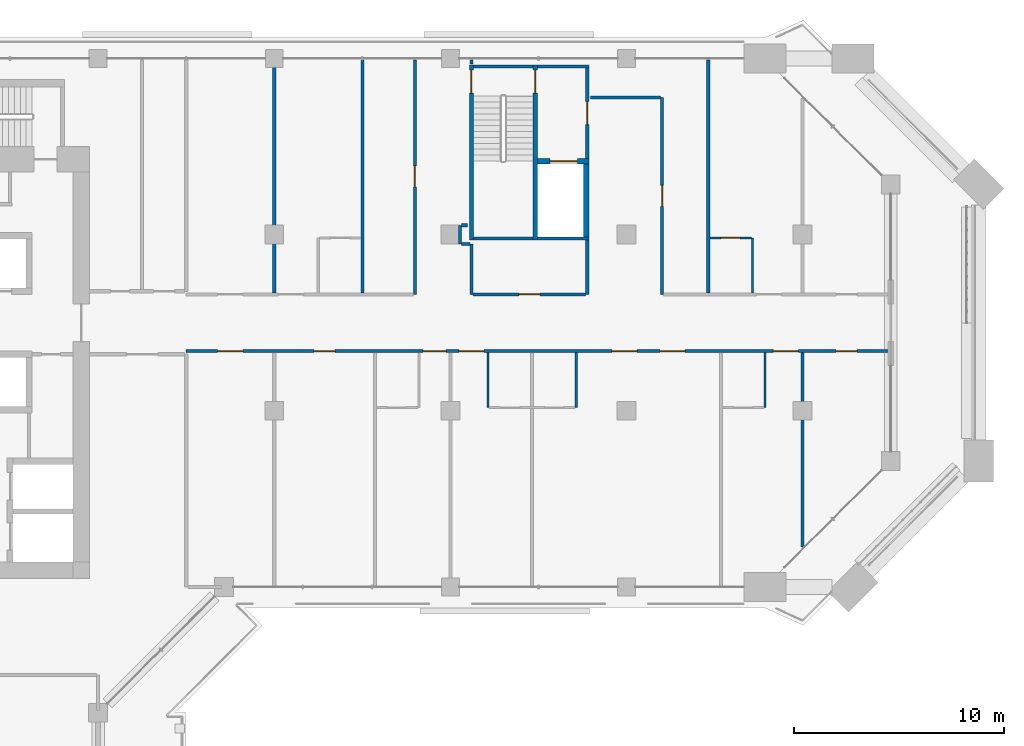
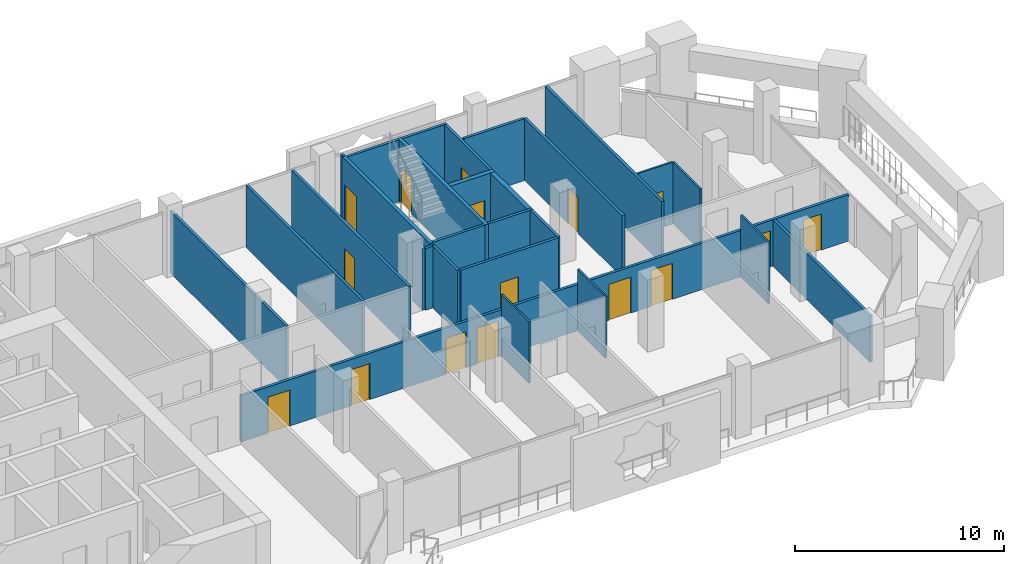
# One storey, part 13 of 21: 29 walls, 16 doors, 16 openings.
"""IFC4 building model written with IfcOpenShell, lengths in metres."""

from ifc_helpers import new_model, si_unit, direction, frame, frame_2d, origin, place, context, subcontext, project, spatial, rectangle, extrude, material, layer, layer_set, type_object, element, fill, save


model = new_model("IFC4")

# Units and contexts
model_context = context("Model", 3, precision=1e-05, world=origin(), true_north=direction((0.0, 1.0)))
body_context = subcontext(model_context, "Body", "Model", "MODEL_VIEW")
ifc_project = project(units=[si_unit("LENGTHUNIT", "METRE"), si_unit("AREAUNIT", "SQUARE_METRE"), si_unit("VOLUMEUNIT", "CUBIC_METRE"), si_unit("PLANEANGLEUNIT", "RADIAN"), si_unit("MASSUNIT", "GRAM", prefix="KILO")], contexts=[model_context])

# Site, building, storey
site_placement = place(None, origin())
site = spatial("IfcSite", under=ifc_project, at=site_placement, CompositionType="ELEMENT")
building_placement = place(site_placement, origin())
building = spatial("IfcBuilding", under=site, at=building_placement, Name="Kawkab Arch Medical Tower", CompositionType="ELEMENT")
storey_placement = place(building_placement, frame((0.0, 0.0, 230.60009765625)))
storey = spatial("IfcBuildingStorey", under=building, at=storey_placement, Name="L53", CompositionType="ELEMENT", Elevation=230.60009765625)

# Wall, opening, door
ifc_material_1 = material(Name="Gypsum board on steel studs", Category="steel")
ifc_layer_1 = layer(ifc_material_1, 0.14990234375)
ifc_layer_set_1 = layer_set([ifc_layer_1], Name="Gypsum board on steel studs")
wall_type_1 = type_object("IfcWallType", Name="Core room partition 150", PredefinedType="PARTITIONING", material=ifc_layer_set_1)
wall_1_placement = place(storey_placement, frame((48.52490234375, -4.77490234375, 0.0), z_axis=(0.0, 0.0, 1.0), x_axis=(0.0, 1.0, 0.0)))
wall_1 = element("IfcWall", 1, at=wall_1_placement, inside=storey, type_object=wall_type_1, Name="L53 core room partition", PredefinedType="PARTITIONING", context=body_context, shape_type="SweptSolid", body=[
    extrude(rectangle(XDim=4.324951171875, YDim=0.14990234375, at=frame_2d((2.16259765625, 0.0))), origin(), (0.0, 0.0, 1.0), 3.599853515625),
])
opening_1_placement = place(wall_1_placement, frame((1.625, 0.0, 0.0)))
opening_1 = element("IfcOpeningElement", 2, at=opening_1_placement, cuts=wall_1, Name="Opening FD", PredefinedType="OPENING", context=body_context, shape_type="SweptSolid", body=[
    extrude(rectangle(XDim=1.10009765625, YDim=2.10009765625, at=frame_2d((0.550048828125, 1.050048828125))), frame((0.0, 0.0849609375, 0.0), z_axis=(0.0, -1.0, 0.0), x_axis=(1.0, 0.0, 0.0)), (0.0, 0.0, 1.0), 0.169921875),
])
ifc_material_2 = material(Name="Hollow metal fire door leaf")
door_type_1 = type_object("IfcDoorType", Name="Firefighting lobby door 1100", OperationType="SINGLE_SWING_LEFT", PredefinedType="DOOR", material=ifc_material_2)
door_1_placement = place(opening_1_placement, origin())
door_1 = element("IfcDoor", 3, at=door_1_placement, inside=storey, type_object=door_type_1, Name="L53 Service lift lobby door SV1", OperationType="SINGLE_SWING_LEFT", OverallHeight=2.10009765625, OverallWidth=1.10009765625, PredefinedType="DOOR", context=body_context, shape_type="SweptSolid", body=[
    extrude(rectangle(XDim=1.10009765625, YDim=2.10009765625, at=frame_2d((0.550048828125, 1.050048828125))), frame((0.0, 0.02490234375, 0.0), z_axis=(0.0, -1.0, 0.0), x_axis=(1.0, 0.0, 0.0)), (0.0, 0.0, 1.0), 0.050048828125),
])
fill(opening_1, door_1)

ifc_material_3 = material(Name="Concrete C60/75", Category="concrete")
ifc_layer_2 = layer(ifc_material_3, 0.25)
ifc_layer_set_2 = layer_set([ifc_layer_2], Name="Concrete C60/75")
wall_type_2 = type_object("IfcWallType", Name="Core shear wall 250 C60/75", PredefinedType="SHEAR", material=ifc_layer_set_2)
wall_2_placement = place(storey_placement, frame((46.14990234375, -4.89990234375, 0.0), z_axis=(0.0, 0.0, 1.0), x_axis=(1.0, 0.0, 0.0)))
wall_2 = element("IfcWall", 4, at=wall_2_placement, inside=storey, type_object=wall_type_2, Name="L53 core shear wall", PredefinedType="SHEAR", context=body_context, shape_type="SweptSolid", body=[
    extrude(rectangle(XDim=2.4501953125, YDim=0.25, at=frame_2d((1.22509765625, 0.0))), origin(), (0.0, 0.0, 1.0), 3.599853515625),
])
opening_2_placement = place(wall_2_placement, frame((0.60009765625, 0.0, 0.0)))
opening_2 = element("IfcOpeningElement", 5, at=opening_2_placement, cuts=wall_2, Name="Opening LD2", PredefinedType="OPENING", context=body_context, shape_type="SweptSolid", body=[
    extrude(rectangle(XDim=1.300048828125, YDim=2.10009765625, at=frame_2d((0.64990234375, 1.050048828125))), frame((0.0, 0.135009765625, 0.0), z_axis=(0.0, -1.0, 0.0), x_axis=(1.0, 0.0, 0.0)), (0.0, 0.0, 1.0), 0.27001953125),
])
ifc_material_4 = material(Name="Stainless steel lift door leaf", Category="steel")
door_type_2 = type_object("IfcDoorType", Name="Lift landing door 1300", OperationType="DOUBLE_DOOR_SLIDING", PredefinedType="DOOR", material=ifc_material_4)
door_2_placement = place(opening_2_placement, origin())
door_2 = element("IfcDoor", 6, at=door_2_placement, inside=storey, type_object=door_type_2, Name="L53 Lift landing door SV1", OperationType="DOUBLE_DOOR_SLIDING", OverallHeight=2.10009765625, OverallWidth=1.300048828125, PredefinedType="DOOR", context=body_context, shape_type="SweptSolid", body=[
    extrude(rectangle(XDim=1.300048828125, YDim=2.10009765625, at=frame_2d((0.64990234375, 1.050048828125))), frame((0.0, 0.02490234375, 0.0), z_axis=(0.0, -1.0, 0.0), x_axis=(1.0, 0.0, 0.0)), (0.0, 0.0, 1.0), 0.050048828125),
])
fill(opening_2, door_2)

# Wall
wall_3_placement = place(storey_placement, frame((48.47509765625, -8.5, 0.0), z_axis=(0.0, 0.0, 1.0), x_axis=(0.0, 1.0, 0.0)))
element("IfcWall", 7, at=wall_3_placement, inside=storey, type_object=wall_type_2, Name="L53 core shear wall", PredefinedType="SHEAR", context=body_context, shape_type="SweptSolid", body=[
    extrude(rectangle(XDim=3.47509765625, YDim=0.25, at=frame_2d((1.737548828125, 0.0))), origin(), (0.0, 0.0, 1.0), 3.599853515625),
])

# Wall, opening, door
ifc_material_5 = material(Name="Gypsum board partition on steel studs", Category="steel")
ifc_layer_3 = layer(ifc_material_5, 0.10009765625)
ifc_layer_set_3 = layer_set([ifc_layer_3], Name="Gypsum board partition on steel studs")
wall_type_3 = type_object("IfcWallType", Name="Partition 100", PredefinedType="PARTITIONING", material=ifc_layer_set_3)
wall_4_placement = place(storey_placement, frame((54.375, -8.550048828125, 0.0), z_axis=(0.0, 0.0, 1.0), x_axis=(1.0, 0.0, 0.0)))
wall_4 = element("IfcWall", 8, at=wall_4_placement, inside=storey, type_object=wall_type_3, Name="Partition 100 w005", PredefinedType="PARTITIONING", context=body_context, shape_type="SweptSolid", body=[
    extrude(rectangle(XDim=1.97509765625, YDim=0.10009765625, at=frame_2d((0.987548828125, 0.0))), origin(), (0.0, 0.0, 1.0), 3.599853515625),
])
opening_3_placement = place(wall_4_placement, frame((0.52490234375, 0.0, 0.0)))
opening_3 = element("IfcOpeningElement", 9, at=opening_3_placement, cuts=wall_4, Name="Opening W53-004", PredefinedType="OPENING", context=body_context, shape_type="SweptSolid", body=[
    extrude(rectangle(XDim=0.89990234375, YDim=2.10009765625, at=frame_2d((0.449951171875, 1.050048828125))), frame((0.0, 0.06005859375, 0.0), z_axis=(0.0, -1.0, 0.0), x_axis=(1.0, 0.0, 0.0)), (0.0, 0.0, 1.0), 0.1201171875),
])
ifc_material_6 = material(Name="Timber door leaf", Category="wood")
door_type_3 = type_object("IfcDoorType", Name="Single door 900x2100", OperationType="NOTDEFINED", PredefinedType="DOOR", material=ifc_material_6)
door_3_placement = place(opening_3_placement, origin())
door_3 = element("IfcDoor", 10, at=door_3_placement, inside=storey, type_object=door_type_3, Name="Door W53-004", OperationType="SINGLE_SWING_RIGHT", OverallHeight=2.10009765625, OverallWidth=0.89990234375, PredefinedType="DOOR", context=body_context, shape_type="SweptSolid", body=[
    extrude(rectangle(XDim=0.89990234375, YDim=2.10009765625, at=frame_2d((0.449951171875, 1.050048828125))), frame((0.0, 0.02490234375, 0.0), z_axis=(0.0, -1.0, 0.0), x_axis=(1.0, 0.0, 0.0)), (0.0, 0.0, 1.0), 0.050048828125),
])
fill(opening_3, door_3)

# Walls
for number, where, z_axis, x_axis, name in (
    (11, (43.800048828125, -16.64990234375, 0.0), (0.0, 0.0, 1.0), (0.0, 1.0, 0.0), "Partition 100 w008"),
    (12, (48.0, -16.64990234375, 0.0), (0.0, 0.0, 1.0), (0.0, 1.0, 0.0), "Partition 100 w009"),
    (13, (56.39990234375, -11.175048828125, 0.0), (0.0, 0.0, 1.0), (0.0, 1.0, 0.0), "Partition 100 w010"),
    (14, (57.0, -16.64990234375, 0.0), (0.0, 0.0, 1.0), (0.0, 1.0, 0.0), "Partition 100 w011"),
):
    element("IfcWall", number, at=place(storey_placement, frame(where, z_axis=z_axis, x_axis=x_axis)), inside=storey, type_object=wall_type_3, Name=name, PredefinedType="PARTITIONING", context=body_context, shape_type="SweptSolid", body=[
        extrude(rectangle(XDim=2.625, YDim=0.10009765625, at=frame_2d((1.3125, 0.0))), origin(), (0.0, 0.0, 1.0), 3.599853515625),
    ])

# Wall, openings, doors
ifc_material_7 = material(Name="Gypsum board partition on steel studs, mineral wool", Category="steel")
ifc_layer_4 = layer(ifc_material_7, 0.14990234375)
ifc_layer_set_4 = layer_set([ifc_layer_4], Name="Gypsum board partition on steel studs, mineral wool")
wall_type_4 = type_object("IfcWallType", Name="Partition 150", PredefinedType="PARTITIONING", material=ifc_layer_set_4)
wall_5_placement = place(storey_placement, frame((29.39990234375, -13.949951171875, 0.0), z_axis=(0.0, 0.0, 1.0), x_axis=(1.0, 0.0, 0.0)))
wall_5 = element("IfcWall", 15, at=wall_5_placement, inside=storey, type_object=wall_type_4, Name="Partition 150 w023", PredefinedType="PARTITIONING", context=body_context, shape_type="SweptSolid", body=[
    extrude(rectangle(XDim=33.52001953125, YDim=0.14990234375, at=frame_2d((16.760009765625, 0.0))), origin(), (0.0, 0.0, 1.0), 2.699951171875),
])
opening_4_placement = place(wall_5_placement, frame((1.5, 0.0, 0.0)))
opening_4 = element("IfcOpeningElement", 16, at=opening_4_placement, cuts=wall_5, Name="Opening W53-026", PredefinedType="OPENING", context=body_context, shape_type="SweptSolid", body=[
    extrude(rectangle(XDim=1.199951171875, YDim=2.10009765625, at=frame_2d((0.60009765625, 1.050048828125))), frame((0.0, 0.0849609375, 0.0), z_axis=(0.0, -1.0, 0.0), x_axis=(1.0, 0.0, 0.0)), (0.0, 0.0, 1.0), 0.169921875),
])
opening_5_placement = place(wall_5_placement, frame((6.10009765625, 0.0, 0.0)))
opening_5 = element("IfcOpeningElement", 17, at=opening_5_placement, cuts=wall_5, Name="Opening W53-015", PredefinedType="OPENING", context=body_context, shape_type="SweptSolid", body=[
    extrude(rectangle(XDim=1.0, YDim=2.10009765625, at=frame_2d((0.5, 1.050048828125))), frame((0.0, 0.0849609375, 0.0), z_axis=(0.0, -1.0, 0.0), x_axis=(1.0, 0.0, 0.0)), (0.0, 0.0, 1.0), 0.169921875),
])
opening_6_placement = place(wall_5_placement, frame((11.300048828125, 0.0, 0.0)))
opening_6 = element("IfcOpeningElement", 18, at=opening_6_placement, cuts=wall_5, Name="Opening W53-023", PredefinedType="OPENING", context=body_context, shape_type="SweptSolid", body=[
    extrude(rectangle(XDim=1.10009765625, YDim=2.10009765625, at=frame_2d((0.550048828125, 1.050048828125))), frame((0.0, 0.0849609375, 0.0), z_axis=(0.0, -1.0, 0.0), x_axis=(1.0, 0.0, 0.0)), (0.0, 0.0, 1.0), 0.169921875),
])
opening_7_placement = place(wall_5_placement, frame((13.0, 0.0, 0.0)))
opening_7 = element("IfcOpeningElement", 19, at=opening_7_placement, cuts=wall_5, Name="Opening W53-027", PredefinedType="OPENING", context=body_context, shape_type="SweptSolid", body=[
    extrude(rectangle(XDim=1.199951171875, YDim=2.10009765625, at=frame_2d((0.60009765625, 1.050048828125))), frame((0.0, 0.0849609375, 0.0), z_axis=(0.0, -1.0, 0.0), x_axis=(1.0, 0.0, 0.0)), (0.0, 0.0, 1.0), 0.169921875),
])
opening_8_placement = place(wall_5_placement, frame((22.60009765625, 0.0, 0.0)))
opening_8 = element("IfcOpeningElement", 20, at=opening_8_placement, cuts=wall_5, Name="Opening W53-028", PredefinedType="OPENING", context=body_context, shape_type="SweptSolid", body=[
    extrude(rectangle(XDim=1.199951171875, YDim=2.10009765625, at=frame_2d((0.60009765625, 1.050048828125))), frame((0.0, 0.0849609375, 0.0), z_axis=(0.0, -1.0, 0.0), x_axis=(1.0, 0.0, 0.0)), (0.0, 0.0, 1.0), 0.169921875),
])
opening_9_placement = place(wall_5_placement, frame((20.300048828125, 0.0, 0.0)))
opening_9 = element("IfcOpeningElement", 21, at=opening_9_placement, cuts=wall_5, Name="Opening W53-029", PredefinedType="OPENING", context=body_context, shape_type="SweptSolid", body=[
    extrude(rectangle(XDim=1.199951171875, YDim=2.10009765625, at=frame_2d((0.60009765625, 1.050048828125))), frame((0.0, 0.0849609375, 0.0), z_axis=(0.0, -1.0, 0.0), x_axis=(1.0, 0.0, 0.0)), (0.0, 0.0, 1.0), 0.169921875),
])
opening_10_placement = place(wall_5_placement, frame((28.0, 0.0, 0.0)))
opening_10 = element("IfcOpeningElement", 22, at=opening_10_placement, cuts=wall_5, Name="Opening W53-030", PredefinedType="OPENING", context=body_context, shape_type="SweptSolid", body=[
    extrude(rectangle(XDim=1.199951171875, YDim=2.10009765625, at=frame_2d((0.60009765625, 1.050048828125))), frame((0.0, 0.0849609375, 0.0), z_axis=(0.0, -1.0, 0.0), x_axis=(1.0, 0.0, 0.0)), (0.0, 0.0, 1.0), 0.169921875),
])
opening_11_placement = place(wall_5_placement, frame((31.0, 0.0, 0.0)))
opening_11 = element("IfcOpeningElement", 23, at=opening_11_placement, cuts=wall_5, Name="Opening W53-016", PredefinedType="OPENING", context=body_context, shape_type="SweptSolid", body=[
    extrude(rectangle(XDim=1.0, YDim=2.10009765625, at=frame_2d((0.5, 1.050048828125))), frame((0.0, 0.0849609375, 0.0), z_axis=(0.0, -1.0, 0.0), x_axis=(1.0, 0.0, 0.0)), (0.0, 0.0, 1.0), 0.169921875),
])
ifc_material_8 = material(Name="Hollow metal door leaf")
door_type_4 = type_object("IfcDoorType", Name="Single door 1000x2100 FD30S", OperationType="NOTDEFINED", PredefinedType="DOOR", material=ifc_material_8)
door_4_placement = place(opening_5_placement, origin())
door_4 = element("IfcDoor", 24, at=door_4_placement, inside=storey, type_object=door_type_4, Name="Door W53-015", OperationType="SINGLE_SWING_RIGHT", OverallHeight=2.10009765625, OverallWidth=1.0, PredefinedType="DOOR", context=body_context, shape_type="SweptSolid", body=[
    extrude(rectangle(XDim=1.0, YDim=2.10009765625, at=frame_2d((0.5, 1.050048828125))), frame((0.0, 0.02490234375, 0.0), z_axis=(0.0, -1.0, 0.0), x_axis=(1.0, 0.0, 0.0)), (0.0, 0.0, 1.0), 0.050048828125),
])
fill(opening_5, door_4)
door_5_placement = place(opening_11_placement, origin())
door_5 = element("IfcDoor", 25, at=door_5_placement, inside=storey, type_object=door_type_4, Name="Door W53-016", OperationType="SINGLE_SWING_LEFT", OverallHeight=2.10009765625, OverallWidth=1.0, PredefinedType="DOOR", context=body_context, shape_type="SweptSolid", body=[
    extrude(rectangle(XDim=1.0, YDim=2.10009765625, at=frame_2d((0.5, 1.050048828125))), frame((0.0, 0.02490234375, 0.0), z_axis=(0.0, -1.0, 0.0), x_axis=(1.0, 0.0, 0.0)), (0.0, 0.0, 1.0), 0.050048828125),
])
fill(opening_11, door_5)
ifc_material_9 = material(Name="Hollow metal door leaf")
door_type_5 = type_object("IfcDoorType", Name="Single door 1100x2100 FD30S", OperationType="NOTDEFINED", PredefinedType="DOOR", material=ifc_material_9)
door_6_placement = place(opening_6_placement, origin())
door_6 = element("IfcDoor", 26, at=door_6_placement, inside=storey, type_object=door_type_5, Name="Door W53-023", OperationType="SINGLE_SWING_RIGHT", OverallHeight=2.10009765625, OverallWidth=1.10009765625, PredefinedType="DOOR", context=body_context, shape_type="SweptSolid", body=[
    extrude(rectangle(XDim=1.10009765625, YDim=2.10009765625, at=frame_2d((0.550048828125, 1.050048828125))), frame((0.0, 0.02490234375, 0.0), z_axis=(0.0, -1.0, 0.0), x_axis=(1.0, 0.0, 0.0)), (0.0, 0.0, 1.0), 0.050048828125),
])
fill(opening_6, door_6)
ifc_material_10 = material(Name="Hollow metal door leaf")
door_type_6 = type_object("IfcDoorType", Name="Single door 1200x2100 FD30S", OperationType="NOTDEFINED", PredefinedType="DOOR", material=ifc_material_10)
door_7_placement = place(opening_4_placement, origin())
door_7 = element("IfcDoor", 27, at=door_7_placement, inside=storey, type_object=door_type_6, Name="Door W53-026", OperationType="SINGLE_SWING_RIGHT", OverallHeight=2.10009765625, OverallWidth=1.199951171875, PredefinedType="DOOR", context=body_context, shape_type="SweptSolid", body=[
    extrude(rectangle(XDim=1.199951171875, YDim=2.10009765625, at=frame_2d((0.60009765625, 1.050048828125))), frame((0.0, 0.02490234375, 0.0), z_axis=(0.0, -1.0, 0.0), x_axis=(1.0, 0.0, 0.0)), (0.0, 0.0, 1.0), 0.050048828125),
])
fill(opening_4, door_7)
door_8_placement = place(opening_7_placement, origin())
door_8 = element("IfcDoor", 28, at=door_8_placement, inside=storey, type_object=door_type_6, Name="Door W53-027", OperationType="SINGLE_SWING_RIGHT", OverallHeight=2.10009765625, OverallWidth=1.199951171875, PredefinedType="DOOR", context=body_context, shape_type="SweptSolid", body=[
    extrude(rectangle(XDim=1.199951171875, YDim=2.10009765625, at=frame_2d((0.60009765625, 1.050048828125))), frame((0.0, 0.02490234375, 0.0), z_axis=(0.0, -1.0, 0.0), x_axis=(1.0, 0.0, 0.0)), (0.0, 0.0, 1.0), 0.050048828125),
])
fill(opening_7, door_8)
door_9_placement = place(opening_8_placement, origin())
door_9 = element("IfcDoor", 29, at=door_9_placement, inside=storey, type_object=door_type_6, Name="Door W53-028", OperationType="SINGLE_SWING_LEFT", OverallHeight=2.10009765625, OverallWidth=1.199951171875, PredefinedType="DOOR", context=body_context, shape_type="SweptSolid", body=[
    extrude(rectangle(XDim=1.199951171875, YDim=2.10009765625, at=frame_2d((0.60009765625, 1.050048828125))), frame((0.0, 0.02490234375, 0.0), z_axis=(0.0, -1.0, 0.0), x_axis=(1.0, 0.0, 0.0)), (0.0, 0.0, 1.0), 0.050048828125),
])
fill(opening_8, door_9)
door_10_placement = place(opening_9_placement, origin())
door_10 = element("IfcDoor", 30, at=door_10_placement, inside=storey, type_object=door_type_6, Name="Door W53-029", OperationType="SINGLE_SWING_LEFT", OverallHeight=2.10009765625, OverallWidth=1.199951171875, PredefinedType="DOOR", context=body_context, shape_type="SweptSolid", body=[
    extrude(rectangle(XDim=1.199951171875, YDim=2.10009765625, at=frame_2d((0.60009765625, 1.050048828125))), frame((0.0, 0.02490234375, 0.0), z_axis=(0.0, -1.0, 0.0), x_axis=(1.0, 0.0, 0.0)), (0.0, 0.0, 1.0), 0.050048828125),
])
fill(opening_9, door_10)
door_11_placement = place(opening_10_placement, origin())
door_11 = element("IfcDoor", 31, at=door_11_placement, inside=storey, type_object=door_type_6, Name="Door W53-030", OperationType="SINGLE_SWING_LEFT", OverallHeight=2.10009765625, OverallWidth=1.199951171875, PredefinedType="DOOR", context=body_context, shape_type="SweptSolid", body=[
    extrude(rectangle(XDim=1.199951171875, YDim=2.10009765625, at=frame_2d((0.60009765625, 1.050048828125))), frame((0.0, 0.02490234375, 0.0), z_axis=(0.0, -1.0, 0.0), x_axis=(1.0, 0.0, 0.0)), (0.0, 0.0, 1.0), 0.050048828125),
])
fill(opening_10, door_11)

# Wall, opening, door
wall_6_placement = place(storey_placement, frame((43.074951171875, -11.25, 0.0), z_axis=(0.0, 0.0, 1.0), x_axis=(1.0, 0.0, 0.0)))
wall_6 = element("IfcWall", 32, at=wall_6_placement, inside=storey, type_object=wall_type_4, Name="Partition 150 w025", PredefinedType="PARTITIONING", context=body_context, shape_type="SweptSolid", body=[
    extrude(rectangle(XDim=5.375, YDim=0.14990234375, at=frame_2d((2.6875, 0.0))), origin(), (0.0, 0.0, 1.0), 3.599853515625),
])
opening_12_placement = place(wall_6_placement, frame((2.18798828125, 0.0, 0.0)))
opening_12 = element("IfcOpeningElement", 33, at=opening_12_placement, cuts=wall_6, Name="Opening W53-012", PredefinedType="OPENING", context=body_context, shape_type="SweptSolid", body=[
    extrude(rectangle(XDim=1.0, YDim=2.10009765625, at=frame_2d((0.5, 1.050048828125))), frame((0.0, 0.0849609375, 0.0), z_axis=(0.0, -1.0, 0.0), x_axis=(1.0, 0.0, 0.0)), (0.0, 0.0, 1.0), 0.169921875),
])
door_12_placement = place(opening_12_placement, origin())
door_12 = element("IfcDoor", 34, at=door_12_placement, inside=storey, type_object=door_type_4, Name="Door W53-012", OperationType="SINGLE_SWING_LEFT", OverallHeight=2.10009765625, OverallWidth=1.0, PredefinedType="DOOR", context=body_context, shape_type="SweptSolid", body=[
    extrude(rectangle(XDim=1.0, YDim=2.10009765625, at=frame_2d((0.5, 1.050048828125))), frame((0.0, 0.02490234375, 0.0), z_axis=(0.0, -1.0, 0.0), x_axis=(1.0, 0.0, 0.0)), (0.0, 0.0, 1.0), 0.050048828125),
])
fill(opening_12, door_12)

# Walls
wall_7_placement = place(storey_placement, frame((42.527099609375, -8.85009765625, 0.0), z_axis=(0.0, 0.0, 1.0), x_axis=(1.0, 0.0, 0.0)))
element("IfcWall", 35, at=wall_7_placement, inside=storey, type_object=wall_type_4, Name="Partition 150 w028", PredefinedType="PARTITIONING", context=body_context, shape_type="SweptSolid", body=[
    extrude(rectangle(XDim=0.39599609375, YDim=0.14990234375, at=frame_2d((0.197998046875, 0.0))), origin(), (0.0, 0.0, 1.0), 3.599853515625),
])
wall_8_placement = place(storey_placement, frame((42.527099609375, -7.949951171875, 0.0), z_axis=(0.0, 0.0, 1.0), x_axis=(1.0, 0.0, 0.0)))
element("IfcWall", 36, at=wall_8_placement, inside=storey, type_object=wall_type_4, Name="Partition 150 w029", PredefinedType="PARTITIONING", context=body_context, shape_type="SweptSolid", body=[
    extrude(rectangle(XDim=0.29296875, YDim=0.14990234375, at=frame_2d((0.146484375, 0.0))), origin(), (0.0, 0.0, 1.0), 3.599853515625),
])
wall_9_placement = place(storey_placement, frame((48.679931640625, -1.85009765625, 0.0), z_axis=(0.0, 0.0, 1.0), x_axis=(1.0, 0.0, 0.0)))
element("IfcWall", 37, at=wall_9_placement, inside=storey, type_object=wall_type_4, Name="Partition 150 w030", PredefinedType="PARTITIONING", context=body_context, shape_type="SweptSolid", body=[
    extrude(rectangle(XDim=3.336181640625, YDim=0.14990234375, at=frame_2d((1.66796875, 0.0))), origin(), (0.0, 0.0, 1.0), 3.599853515625),
])
for number, where, z_axis, x_axis, name in (
    (38, (33.60009765625, -11.175048828125, 0.0), (0.0, 0.0, 1.0), (0.0, 1.0, 0.0), "Partition 150 w047"),
    (39, (37.800048828125, -11.175048828125, 0.0), (0.0, 0.0, 1.0), (0.0, 1.0, 0.0), "Partition 150 w048"),
):
    element("IfcWall", number, at=place(storey_placement, frame(where, z_axis=z_axis, x_axis=x_axis)), inside=storey, type_object=wall_type_4, Name=name, PredefinedType="PARTITIONING", context=body_context, shape_type="SweptSolid", body=[
        extrude(rectangle(XDim=11.094970703125, YDim=0.14990234375, at=frame_2d((5.54736328125, 0.0))), origin(), (0.0, 0.0, 1.0), 3.599853515625),
    ])

# Wall, opening, door
wall_10_placement = place(storey_placement, frame((40.306884765625, -11.25, 0.0), z_axis=(0.0, 0.0, 1.0), x_axis=(0.0, 1.0, 0.0)))
wall_10 = element("IfcWall", 40, at=wall_10_placement, inside=storey, type_object=wall_type_4, Name="Partition 150 w050", PredefinedType="PARTITIONING", context=body_context, shape_type="SweptSolid", body=[
    extrude(rectangle(XDim=11.169921875, YDim=0.14990234375, at=frame_2d((5.5849609375, 0.0))), origin(), (0.0, 0.0, 1.0), 3.599853515625),
])
opening_13_placement = place(wall_10_placement, frame((5.125, 0.0, 0.0)))
opening_13 = element("IfcOpeningElement", 41, at=opening_13_placement, cuts=wall_10, Name="Opening W53-011", PredefinedType="OPENING", context=body_context, shape_type="SweptSolid", body=[
    extrude(rectangle(XDim=1.0, YDim=2.10009765625, at=frame_2d((0.5, 1.050048828125))), frame((0.0, 0.0849609375, 0.0), z_axis=(0.0, -1.0, 0.0), x_axis=(1.0, 0.0, 0.0)), (0.0, 0.0, 1.0), 0.169921875),
])
door_13_placement = place(opening_13_placement, origin())
door_13 = element("IfcDoor", 42, at=door_13_placement, inside=storey, type_object=door_type_4, Name="Door W53-011", OperationType="SINGLE_SWING_RIGHT", OverallHeight=2.10009765625, OverallWidth=1.0, PredefinedType="DOOR", context=body_context, shape_type="SweptSolid", body=[
    extrude(rectangle(XDim=1.0, YDim=2.10009765625, at=frame_2d((0.5, 1.050048828125))), frame((0.0, 0.02490234375, 0.0), z_axis=(0.0, -1.0, 0.0), x_axis=(1.0, 0.0, 0.0)), (0.0, 0.0, 1.0), 0.050048828125),
])
fill(opening_13, door_13)

# Walls
wall_11_placement = place(storey_placement, frame((42.449951171875, -8.84912109375, 0.0), z_axis=(0.0, 0.0, 1.0), x_axis=(0.0, 1.0, 0.0)))
element("IfcWall", 43, at=wall_11_placement, inside=storey, type_object=wall_type_4, Name="Partition 150 w052", PredefinedType="PARTITIONING", context=body_context, shape_type="SweptSolid", body=[
    extrude(rectangle(XDim=0.897216796875, YDim=0.14990234375, at=frame_2d((0.44873046875, 0.0))), origin(), (0.0, 0.0, 1.0), 3.599853515625),
])
wall_12_placement = place(storey_placement, frame((43.0, -11.25, 0.0), z_axis=(0.0, 0.0, 1.0), x_axis=(0.0, 1.0, 0.0)))
element("IfcWall", 44, at=wall_12_placement, inside=storey, type_object=wall_type_4, Name="Partition 150 w053", PredefinedType="PARTITIONING", context=body_context, shape_type="SweptSolid", body=[
    extrude(rectangle(XDim=2.39794921875, YDim=0.14990234375, at=frame_2d((1.198974609375, 0.0))), origin(), (0.0, 0.0, 1.0), 3.599853515625),
])
wall_13_placement = place(storey_placement, frame((43.0, -0.27001953125, 0.0), z_axis=(0.0, 0.0, 1.0), x_axis=(0.0, 1.0, 0.0)))
element("IfcWall", 45, at=wall_13_placement, inside=storey, type_object=wall_type_4, Name="Partition 150 w054", PredefinedType="PARTITIONING", context=body_context, shape_type="SweptSolid", body=[
    extrude(rectangle(XDim=0.18994140625, YDim=0.14990234375, at=frame_2d((0.094970703125, 0.0))), origin(), (0.0, 0.0, 1.0), 3.599853515625),
])
wall_14_placement = place(storey_placement, frame((48.52490234375, -11.25, 0.0), z_axis=(0.0, 0.0, 1.0), x_axis=(0.0, 1.0, 0.0)))
element("IfcWall", 46, at=wall_14_placement, inside=storey, type_object=wall_type_4, Name="Partition 150 w056", PredefinedType="PARTITIONING", context=body_context, shape_type="SweptSolid", body=[
    extrude(rectangle(XDim=2.60009765625, YDim=0.14990234375, at=frame_2d((1.300048828125, 0.0))), origin(), (0.0, 0.0, 1.0), 3.599853515625),
])

# Wall, opening, door
wall_15_placement = place(storey_placement, frame((52.093017578125, -11.25, 0.0), z_axis=(0.0, 0.0, 1.0), x_axis=(0.0, 1.0, 0.0)))
wall_15 = element("IfcWall", 47, at=wall_15_placement, inside=storey, type_object=wall_type_4, Name="Partition 150 w057", PredefinedType="PARTITIONING", context=body_context, shape_type="SweptSolid", body=[
    extrude(rectangle(XDim=9.39697265625, YDim=0.14990234375, at=frame_2d((4.698486328125, 0.0))), origin(), (0.0, 0.0, 1.0), 3.599853515625),
])
opening_14_placement = place(wall_15_placement, frame((4.198974609375, 0.0, 0.0)))
opening_14 = element("IfcOpeningElement", 48, at=opening_14_placement, cuts=wall_15, Name="Opening W53-013", PredefinedType="OPENING", context=body_context, shape_type="SweptSolid", body=[
    extrude(rectangle(XDim=1.0, YDim=2.10009765625, at=frame_2d((0.5, 1.050048828125))), frame((0.0, 0.0849609375, 0.0), z_axis=(0.0, -1.0, 0.0), x_axis=(1.0, 0.0, 0.0)), (0.0, 0.0, 1.0), 0.169921875),
])
door_14_placement = place(opening_14_placement, origin())
door_14 = element("IfcDoor", 49, at=door_14_placement, inside=storey, type_object=door_type_4, Name="Door W53-013", OperationType="SINGLE_SWING_LEFT", OverallHeight=2.10009765625, OverallWidth=1.0, PredefinedType="DOOR", context=body_context, shape_type="SweptSolid", body=[
    extrude(rectangle(XDim=1.0, YDim=2.10009765625, at=frame_2d((0.5, 1.050048828125))), frame((0.0, 0.02490234375, 0.0), z_axis=(0.0, -1.0, 0.0), x_axis=(1.0, 0.0, 0.0)), (0.0, 0.0, 1.0), 0.050048828125),
])
fill(opening_14, door_14)

# Walls
wall_16_placement = place(storey_placement, frame((54.300048828125, -11.175048828125, 0.0), z_axis=(0.0, 0.0, 1.0), x_axis=(0.0, 1.0, 0.0)))
element("IfcWall", 50, at=wall_16_placement, inside=storey, type_object=wall_type_4, Name="Partition 150 w058", PredefinedType="PARTITIONING", context=body_context, shape_type="SweptSolid", body=[
    extrude(rectangle(XDim=11.094970703125, YDim=0.14990234375, at=frame_2d((5.54736328125, 0.0))), origin(), (0.0, 0.0, 1.0), 3.599853515625),
])
wall_17_placement = place(storey_placement, frame((58.800048828125, -23.287109375, 0.0), z_axis=(0.0, 0.0, 1.0), x_axis=(0.0, 1.0, 0.0)))
element("IfcWall", 51, at=wall_17_placement, inside=storey, type_object=wall_type_4, Name="Partition 150 w060", PredefinedType="PARTITIONING", context=body_context, shape_type="SweptSolid", body=[
    extrude(rectangle(XDim=9.26220703125, YDim=0.14990234375, at=frame_2d((4.631103515625, 0.0))), origin(), (0.0, 0.0, 1.0), 2.699951171875),
])
ifc_material_11 = material(Name="Concrete C50/60", Category="concrete")
ifc_layer_5 = layer(ifc_material_11, 0.14990234375)
ifc_layer_set_5 = layer_set([ifc_layer_5], Name="Concrete C50/60")
wall_type_5 = type_object("IfcWallType", Name="Stair enclosure wall 150 C50/60", PredefinedType="SHEAR", material=ifc_layer_set_5)
wall_18_placement = place(storey_placement, frame((43.10009765625, -0.375, 0.0), z_axis=(0.0, 0.0, 1.0), x_axis=(1.0, 0.0, 0.0)))
element("IfcWall", 52, at=wall_18_placement, inside=storey, type_object=wall_type_5, Name="L53 stair enclosure wall", PredefinedType="SHEAR", context=body_context, shape_type="SweptSolid", body=[
    extrude(rectangle(XDim=2.849853515625, YDim=0.14990234375, at=frame_2d((1.4248046875, 0.0))), origin(), (0.0, 0.0, 1.0), 3.599853515625),
])
wall_19_placement = place(storey_placement, frame((46.14990234375, -0.375, 0.0), z_axis=(0.0, 0.0, 1.0), x_axis=(1.0, 0.0, 0.0)))
element("IfcWall", 53, at=wall_19_placement, inside=storey, type_object=wall_type_5, Name="L53 stair enclosure wall", PredefinedType="SHEAR", context=body_context, shape_type="SweptSolid", body=[
    extrude(rectangle(XDim=2.4501953125, YDim=0.14990234375, at=frame_2d((1.22509765625, 0.0))), origin(), (0.0, 0.0, 1.0), 3.599853515625),
])
wall_20_placement = place(storey_placement, frame((43.10009765625, -8.574951171875, 0.0), z_axis=(0.0, 0.0, 1.0), x_axis=(1.0, 0.0, 0.0)))
element("IfcWall", 54, at=wall_20_placement, inside=storey, type_object=wall_type_5, Name="L53 stair enclosure wall", PredefinedType="SHEAR", context=body_context, shape_type="SweptSolid", body=[
    extrude(rectangle(XDim=2.849853515625, YDim=0.14990234375, at=frame_2d((1.4248046875, 0.0))), origin(), (0.0, 0.0, 1.0), 3.599853515625),
])
wall_21_placement = place(storey_placement, frame((46.14990234375, -8.574951171875, 0.0), z_axis=(0.0, 0.0, 1.0), x_axis=(1.0, 0.0, 0.0)))
element("IfcWall", 55, at=wall_21_placement, inside=storey, type_object=wall_type_5, Name="L53 stair enclosure wall", PredefinedType="SHEAR", context=body_context, shape_type="SweptSolid", body=[
    extrude(rectangle(XDim=2.4501953125, YDim=0.14990234375, at=frame_2d((1.22509765625, 0.0))), origin(), (0.0, 0.0, 1.0), 3.599853515625),
])

# Wall, opening, door
ifc_material_12 = material(Name="Concrete C50/60", Category="concrete")
ifc_layer_6 = layer(ifc_material_12, 0.199951171875)
ifc_layer_set_6 = layer_set([ifc_layer_6], Name="Concrete C50/60")
wall_type_6 = type_object("IfcWallType", Name="Stair enclosure wall 200 C50/60", PredefinedType="SHEAR", material=ifc_layer_set_6)
wall_22_placement = place(storey_placement, frame((43.0, -8.64990234375, 0.0), z_axis=(0.0, 0.0, 1.0), x_axis=(0.0, 1.0, 0.0)))
wall_22 = element("IfcWall", 56, at=wall_22_placement, inside=storey, type_object=wall_type_6, Name="L53 stair enclosure wall", PredefinedType="SHEAR", context=body_context, shape_type="SweptSolid", body=[
    extrude(rectangle(XDim=8.349853515625, YDim=0.199951171875, at=frame_2d((4.1748046875, 0.0))), origin(), (0.0, 0.0, 1.0), 3.599853515625),
])
opening_15_placement = place(wall_22_placement, frame((7.0, 0.0, 0.0)))
opening_15 = element("IfcOpeningElement", 57, at=opening_15_placement, cuts=wall_22, Name="Opening SD", PredefinedType="OPENING", context=body_context, shape_type="SweptSolid", body=[
    extrude(rectangle(XDim=1.10009765625, YDim=2.10009765625, at=frame_2d((0.550048828125, 1.050048828125))), frame((0.0, 0.10986328125, 0.0), z_axis=(0.0, -1.0, 0.0), x_axis=(1.0, 0.0, 0.0)), (0.0, 0.0, 1.0), 0.219970703125),
])
ifc_material_13 = material(Name="Hollow metal fire door leaf")
door_type_7 = type_object("IfcDoorType", Name="Exit stair door 1100", OperationType="SINGLE_SWING_LEFT", PredefinedType="DOOR", material=ifc_material_13)
door_15_placement = place(opening_15_placement, frame((1.10009765625, 0.0, 0.0), z_axis=(0.0, 0.0, 1.0), x_axis=(-1.0, 0.0, 0.0)))
door_15 = element("IfcDoor", 58, at=door_15_placement, inside=storey, type_object=door_type_7, Name="L53 Exit stair ST5 door", OperationType="SINGLE_SWING_LEFT", OverallHeight=2.10009765625, OverallWidth=1.10009765625, PredefinedType="DOOR", context=body_context, shape_type="SweptSolid", body=[
    extrude(rectangle(XDim=1.10009765625, YDim=2.10009765625, at=frame_2d((0.550048828125, 1.050048828125))), frame((0.0, 0.02490234375, 0.0), z_axis=(0.0, -1.0, 0.0), x_axis=(1.0, 0.0, 0.0)), (0.0, 0.0, 1.0), 0.050048828125),
])
fill(opening_15, door_15)

wall_23_placement = place(storey_placement, frame((46.050048828125, -8.64990234375, 0.0), z_axis=(0.0, 0.0, 1.0), x_axis=(0.0, 1.0, 0.0)))
wall_23 = element("IfcWall", 59, at=wall_23_placement, inside=storey, type_object=wall_type_6, Name="L53 stair enclosure wall", PredefinedType="SHEAR", context=body_context, shape_type="SweptSolid", body=[
    extrude(rectangle(XDim=8.349853515625, YDim=0.199951171875, at=frame_2d((4.1748046875, 0.0))), origin(), (0.0, 0.0, 1.0), 3.599853515625),
])
opening_16_placement = place(wall_23_placement, frame((7.0, 0.0, 0.0)))
opening_16 = element("IfcOpeningElement", 60, at=opening_16_placement, cuts=wall_23, Name="Opening SD", PredefinedType="OPENING", context=body_context, shape_type="SweptSolid", body=[
    extrude(rectangle(XDim=1.10009765625, YDim=2.10009765625, at=frame_2d((0.550048828125, 1.050048828125))), frame((0.0, 0.10986328125, 0.0), z_axis=(0.0, -1.0, 0.0), x_axis=(1.0, 0.0, 0.0)), (0.0, 0.0, 1.0), 0.219970703125),
])
door_16_placement = place(opening_16_placement, origin())
door_16 = element("IfcDoor", 61, at=door_16_placement, inside=storey, type_object=door_type_7, Name="L53 Exit stair ST5 lobby door", OperationType="SINGLE_SWING_LEFT", OverallHeight=2.10009765625, OverallWidth=1.10009765625, PredefinedType="DOOR", context=body_context, shape_type="SweptSolid", body=[
    extrude(rectangle(XDim=1.10009765625, YDim=2.10009765625, at=frame_2d((0.550048828125, 1.050048828125))), frame((0.0, 0.02490234375, 0.0), z_axis=(0.0, -1.0, 0.0), x_axis=(1.0, 0.0, 0.0)), (0.0, 0.0, 1.0), 0.050048828125),
])
fill(opening_16, door_16)

save(model, "model.ifc")
